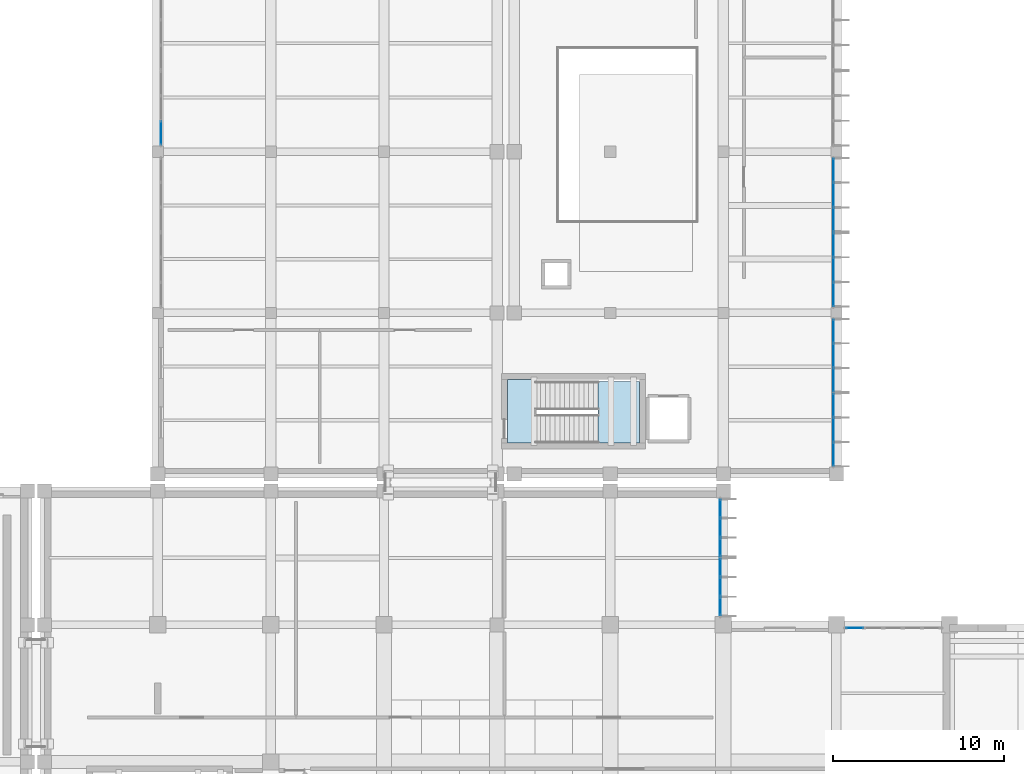
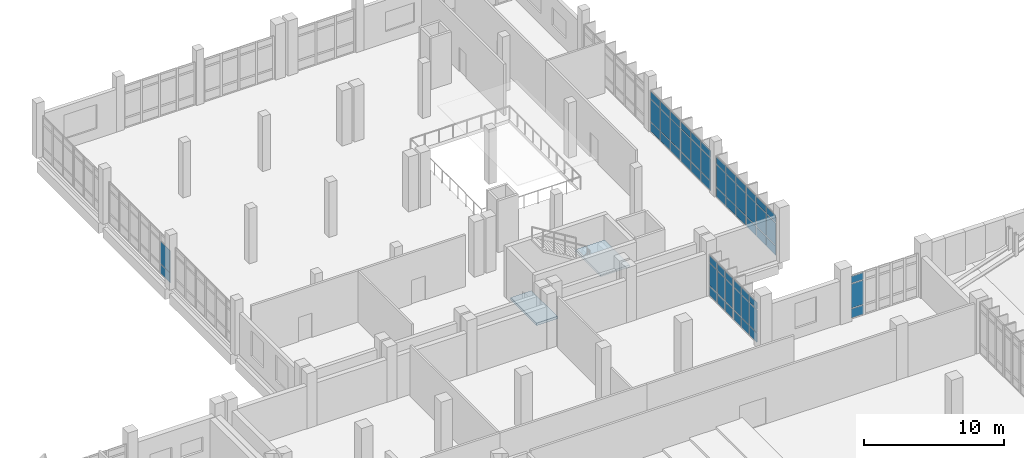
# One storey, part 58 of 90: 59 plates, 2 slabs, 9 elements without a shape of their own.
"""IFC4 building model written with IfcOpenShell, lengths in metres."""

from ifc_helpers import new_model, si_unit, direction, frame, origin, origin_2d, place, context, subcontext, project, spatial, polyline, rectangle, outline, extrude, material, layer, layer_set, type_object, element, aggregate, save


model = new_model("IFC4")

# Units and contexts
model_context = context("Model", 3, precision=1e-05, world=origin(), true_north=direction((0.0, 1.0)))
body_context = subcontext(model_context, "Body", "Model", "MODEL_VIEW")
ifc_project = project(units=[si_unit("LENGTHUNIT", "METRE"), si_unit("AREAUNIT", "SQUARE_METRE"), si_unit("VOLUMEUNIT", "CUBIC_METRE"), si_unit("PLANEANGLEUNIT", "RADIAN"), si_unit("MASSUNIT", "GRAM", prefix="KILO")], contexts=[model_context])

# Site, building, storey
site_placement = place(None, origin())
site = spatial("IfcSite", under=ifc_project, at=site_placement, CompositionType="ELEMENT")
building_placement = place(site_placement, origin())
building = spatial("IfcBuilding", under=site, at=building_placement, Name="Kelarvand Opera House", CompositionType="ELEMENT")
storey_placement = place(building_placement, frame((0.0, 0.0, 5.39990234375)))
storey = spatial("IfcBuildingStorey", under=building, at=storey_placement, Name="L01", CompositionType="ELEMENT", Elevation=5.39990234375)

# Curtain wall, plates
ifc_material_1 = material(Name="Thermally broken aluminium and low-E glazing", Category="aluminium")
ifc_layer_1 = layer(ifc_material_1, 0.219970703125, Name="Thermally broken aluminium and low-E glazing", Category="aluminium")
ifc_layer_set_1 = layer_set([ifc_layer_1], Name="Thermally broken aluminium and low-E glazing")
curtain_wall_type_1 = type_object("IfcCurtainWallType", Name="Unitised Low-E Curtain Wall 3444x3630 Mod 1150 CWF-02", PredefinedType="USERDEFINED", material=ifc_layer_set_1)
curtain_wall_1_placement = place(storey_placement, origin())
curtain_wall_1 = element("IfcCurtainWall", 1, at=curtain_wall_1_placement, inside=storey, type_object=curtain_wall_type_1, Name="V1 L01 Curtain Wall CWF-02 (5)", ObjectType="UNITISED CURTAIN WALL", PredefinedType="USERDEFINED")
ifc_material_2 = material(Name="Acoustic triple-laminated low-E glazing", Category="glass")
ifc_layer_2 = layer(ifc_material_2, 0.0400390625, Name="Acoustic triple-laminated low-E glazing", Category="glass")
ifc_layer_set_2 = layer_set([ifc_layer_2], Name="Acoustic triple-laminated low-E glazing")
plate_type_1 = type_object("IfcPlateType", Name="Acoustic Laminated Plaza Curtain Panel 40mm", PredefinedType="CURTAIN_PANEL", material=ifc_layer_set_2)
plate_1_placement = place(storey_placement, frame((128.419921875, 85.187255859375, 0.074951171875), z_axis=(0.0, 0.0, 1.0), x_axis=(0.0, -1.0, 0.0)))
plate_1 = element("IfcPlate", 2, at=plate_1_placement, type_object=plate_type_1, Name="CWF-02 panel 1.1", PredefinedType="CURTAIN_PANEL", context=body_context, shape_type="SweptSolid", body=[
    extrude(rectangle(XDim=1.035400390625, YDim=0.0400390625, at=origin_2d()), origin(), (0.0, 0.0, 1.0), 0.78759765625),
])
plate_2_placement = place(storey_placement, frame((128.419921875, 85.187255859375, 0.9375), z_axis=(0.0, 0.0, 1.0), x_axis=(0.0, -1.0, 0.0)))
plate_2 = element("IfcPlate", 3, at=plate_2_placement, type_object=plate_type_1, Name="CWF-02 panel 1.2", PredefinedType="CURTAIN_PANEL", context=body_context, shape_type="SweptSolid", body=[
    extrude(rectangle(XDim=1.035400390625, YDim=0.0400390625, at=origin_2d()), origin(), (0.0, 0.0, 1.0), 1.955078125),
])
plate_3_placement = place(storey_placement, frame((128.419921875, 85.187255859375, 2.967529296875), z_axis=(0.0, 0.0, 1.0), x_axis=(0.0, -1.0, 0.0)))
plate_3 = element("IfcPlate", 4, at=plate_3_placement, type_object=plate_type_1, Name="CWF-02 panel 1.3", PredefinedType="CURTAIN_PANEL", context=body_context, shape_type="SweptSolid", body=[
    extrude(rectangle(XDim=1.035400390625, YDim=0.0400390625, at=origin_2d()), origin(), (0.0, 0.0, 1.0), 0.58740234375),
])
plate_4_placement = place(storey_placement, frame((128.419921875, 84.058349609375, 0.074951171875), z_axis=(0.0, 0.0, 1.0), x_axis=(0.0, -1.0, 0.0)))
plate_4 = element("IfcPlate", 5, at=plate_4_placement, type_object=plate_type_1, Name="CWF-02 panel 2.1", PredefinedType="CURTAIN_PANEL", context=body_context, shape_type="SweptSolid", body=[
    extrude(rectangle(XDim=1.07275390625, YDim=0.0400390625, at=origin_2d()), origin(), (0.0, 0.0, 1.0), 0.78759765625),
])
plate_5_placement = place(storey_placement, frame((128.419921875, 84.058349609375, 0.9375), z_axis=(0.0, 0.0, 1.0), x_axis=(0.0, -1.0, 0.0)))
plate_5 = element("IfcPlate", 6, at=plate_5_placement, type_object=plate_type_1, Name="CWF-02 panel 2.2", PredefinedType="CURTAIN_PANEL", context=body_context, shape_type="SweptSolid", body=[
    extrude(rectangle(XDim=1.07275390625, YDim=0.0400390625, at=origin_2d()), origin(), (0.0, 0.0, 1.0), 1.955078125),
])
plate_6_placement = place(storey_placement, frame((128.419921875, 84.058349609375, 2.967529296875), z_axis=(0.0, 0.0, 1.0), x_axis=(0.0, -1.0, 0.0)))
plate_6 = element("IfcPlate", 7, at=plate_6_placement, type_object=plate_type_1, Name="CWF-02 panel 2.3", PredefinedType="CURTAIN_PANEL", context=body_context, shape_type="SweptSolid", body=[
    extrude(rectangle(XDim=1.07275390625, YDim=0.0400390625, at=origin_2d()), origin(), (0.0, 0.0, 1.0), 0.58740234375),
])
plate_7_placement = place(storey_placement, frame((128.419921875, 82.92919921875, 0.074951171875), z_axis=(0.0, 0.0, 1.0), x_axis=(0.0, -1.0, 0.0)))
plate_7 = element("IfcPlate", 8, at=plate_7_placement, type_object=plate_type_1, Name="CWF-02 panel 3.1", PredefinedType="CURTAIN_PANEL", context=body_context, shape_type="SweptSolid", body=[
    extrude(rectangle(XDim=1.035400390625, YDim=0.0400390625, at=origin_2d()), origin(), (0.0, 0.0, 1.0), 0.78759765625),
])
plate_8_placement = place(storey_placement, frame((128.419921875, 82.92919921875, 0.9375), z_axis=(0.0, 0.0, 1.0), x_axis=(0.0, -1.0, 0.0)))
plate_8 = element("IfcPlate", 9, at=plate_8_placement, type_object=plate_type_1, Name="CWF-02 panel 3.2", PredefinedType="CURTAIN_PANEL", context=body_context, shape_type="SweptSolid", body=[
    extrude(rectangle(XDim=1.035400390625, YDim=0.0400390625, at=origin_2d()), origin(), (0.0, 0.0, 1.0), 1.955078125),
])
plate_9_placement = place(storey_placement, frame((128.419921875, 82.92919921875, 2.967529296875), z_axis=(0.0, 0.0, 1.0), x_axis=(0.0, -1.0, 0.0)))
plate_9 = element("IfcPlate", 10, at=plate_9_placement, type_object=plate_type_1, Name="CWF-02 panel 3.3", PredefinedType="CURTAIN_PANEL", context=body_context, shape_type="SweptSolid", body=[
    extrude(rectangle(XDim=1.035400390625, YDim=0.0400390625, at=origin_2d()), origin(), (0.0, 0.0, 1.0), 0.58740234375),
])
aggregate(curtain_wall_1, [plate_1, plate_2, plate_3, plate_4, plate_5, plate_6, plate_7, plate_8, plate_9])

curtain_wall_2_placement = place(storey_placement, origin())
curtain_wall_2 = element("IfcCurtainWall", 11, at=curtain_wall_2_placement, inside=storey, type_object=curtain_wall_type_1, Name="V1 L01 Curtain Wall CWF-02 (6)", ObjectType="UNITISED CURTAIN WALL", PredefinedType="USERDEFINED")
plate_10_placement = place(storey_placement, frame((128.419921875, 81.7392578125, 0.074951171875), z_axis=(0.0, 0.0, 1.0), x_axis=(0.0, -1.0, 0.0)))
plate_10 = element("IfcPlate", 12, at=plate_10_placement, type_object=plate_type_1, Name="CWF-02 panel 1.1", PredefinedType="CURTAIN_PANEL", context=body_context, shape_type="SweptSolid", body=[
    extrude(rectangle(XDim=1.03662109375, YDim=0.0400390625, at=origin_2d()), origin(), (0.0, 0.0, 1.0), 0.78759765625),
])
plate_11_placement = place(storey_placement, frame((128.419921875, 81.7392578125, 0.9375), z_axis=(0.0, 0.0, 1.0), x_axis=(0.0, -1.0, 0.0)))
plate_11 = element("IfcPlate", 13, at=plate_11_placement, type_object=plate_type_1, Name="CWF-02 panel 1.2", PredefinedType="CURTAIN_PANEL", context=body_context, shape_type="SweptSolid", body=[
    extrude(rectangle(XDim=1.03662109375, YDim=0.0400390625, at=origin_2d()), origin(), (0.0, 0.0, 1.0), 1.955078125),
])
plate_12_placement = place(storey_placement, frame((128.419921875, 81.7392578125, 2.967529296875), z_axis=(0.0, 0.0, 1.0), x_axis=(0.0, -1.0, 0.0)))
plate_12 = element("IfcPlate", 14, at=plate_12_placement, type_object=plate_type_1, Name="CWF-02 panel 1.3", PredefinedType="CURTAIN_PANEL", context=body_context, shape_type="SweptSolid", body=[
    extrude(rectangle(XDim=1.03662109375, YDim=0.0400390625, at=origin_2d()), origin(), (0.0, 0.0, 1.0), 0.58740234375),
])
plate_13_placement = place(storey_placement, frame((128.419921875, 80.608642578125, 0.074951171875), z_axis=(0.0, 0.0, 1.0), x_axis=(0.0, -1.0, 0.0)))
plate_13 = element("IfcPlate", 15, at=plate_13_placement, type_object=plate_type_1, Name="CWF-02 panel 2.1", PredefinedType="CURTAIN_PANEL", context=body_context, shape_type="SweptSolid", body=[
    extrude(rectangle(XDim=1.07421875, YDim=0.0400390625, at=origin_2d()), origin(), (0.0, 0.0, 1.0), 0.78759765625),
])
plate_14_placement = place(storey_placement, frame((128.419921875, 80.608642578125, 0.9375), z_axis=(0.0, 0.0, 1.0), x_axis=(0.0, -1.0, 0.0)))
plate_14 = element("IfcPlate", 16, at=plate_14_placement, type_object=plate_type_1, Name="CWF-02 panel 2.2", PredefinedType="CURTAIN_PANEL", context=body_context, shape_type="SweptSolid", body=[
    extrude(rectangle(XDim=1.07421875, YDim=0.0400390625, at=origin_2d()), origin(), (0.0, 0.0, 1.0), 1.955078125),
])
plate_15_placement = place(storey_placement, frame((128.419921875, 80.608642578125, 2.967529296875), z_axis=(0.0, 0.0, 1.0), x_axis=(0.0, -1.0, 0.0)))
plate_15 = element("IfcPlate", 17, at=plate_15_placement, type_object=plate_type_1, Name="CWF-02 panel 2.3", PredefinedType="CURTAIN_PANEL", context=body_context, shape_type="SweptSolid", body=[
    extrude(rectangle(XDim=1.07421875, YDim=0.0400390625, at=origin_2d()), origin(), (0.0, 0.0, 1.0), 0.58740234375),
])
plate_16_placement = place(storey_placement, frame((128.419921875, 79.478271484375, 0.074951171875), z_axis=(0.0, 0.0, 1.0), x_axis=(0.0, -1.0, 0.0)))
plate_16 = element("IfcPlate", 18, at=plate_16_placement, type_object=plate_type_1, Name="CWF-02 panel 3.1", PredefinedType="CURTAIN_PANEL", context=body_context, shape_type="SweptSolid", body=[
    extrude(rectangle(XDim=1.03662109375, YDim=0.0400390625, at=origin_2d()), origin(), (0.0, 0.0, 1.0), 0.78759765625),
])
plate_17_placement = place(storey_placement, frame((128.419921875, 79.478271484375, 0.9375), z_axis=(0.0, 0.0, 1.0), x_axis=(0.0, -1.0, 0.0)))
plate_17 = element("IfcPlate", 19, at=plate_17_placement, type_object=plate_type_1, Name="CWF-02 panel 3.2", PredefinedType="CURTAIN_PANEL", context=body_context, shape_type="SweptSolid", body=[
    extrude(rectangle(XDim=1.03662109375, YDim=0.0400390625, at=origin_2d()), origin(), (0.0, 0.0, 1.0), 1.955078125),
])
plate_18_placement = place(storey_placement, frame((128.419921875, 79.478271484375, 2.967529296875), z_axis=(0.0, 0.0, 1.0), x_axis=(0.0, -1.0, 0.0)))
plate_18 = element("IfcPlate", 20, at=plate_18_placement, type_object=plate_type_1, Name="CWF-02 panel 3.3", PredefinedType="CURTAIN_PANEL", context=body_context, shape_type="SweptSolid", body=[
    extrude(rectangle(XDim=1.03662109375, YDim=0.0400390625, at=origin_2d()), origin(), (0.0, 0.0, 1.0), 0.58740234375),
])
aggregate(curtain_wall_2, [plate_10, plate_11, plate_12, plate_13, plate_14, plate_15, plate_16, plate_17, plate_18])

ifc_layer_3 = layer(ifc_material_1, 0.219970703125, Name="Thermally broken aluminium and low-E glazing", Category="aluminium")
ifc_layer_set_3 = layer_set([ifc_layer_3], Name="Thermally broken aluminium and low-E glazing")
curtain_wall_type_2 = type_object("IfcCurtainWallType", Name="Unitised Low-E Curtain Wall 5630x3780 Mod 1150 CWF-03", PredefinedType="USERDEFINED", material=ifc_layer_set_3)
curtain_wall_3_placement = place(storey_placement, origin())
curtain_wall_3 = element("IfcCurtainWall", 21, at=curtain_wall_3_placement, inside=storey, type_object=curtain_wall_type_2, Name="V1 L01 Curtain Wall CWF-03 (7)", ObjectType="UNITISED CURTAIN WALL", PredefinedType="USERDEFINED")
plate_19_placement = place(storey_placement, frame((136.266845703125, 78.219970703125, 0.074951171875), z_axis=(0.0, 0.0, 1.0), x_axis=(1.0, 0.0, 0.0)))
plate_19 = element("IfcPlate", 22, at=plate_19_placement, type_object=plate_type_1, Name="CWF-03 panel 1.1", PredefinedType="CURTAIN_PANEL", context=body_context, shape_type="SweptSolid", body=[
    extrude(rectangle(XDim=1.013427734375, YDim=0.0400390625, at=origin_2d()), origin(), (0.0, 0.0, 1.0), 0.78759765625),
])
plate_20_placement = place(storey_placement, frame((136.266845703125, 78.219970703125, 0.9375), z_axis=(0.0, 0.0, 1.0), x_axis=(1.0, 0.0, 0.0)))
plate_20 = element("IfcPlate", 23, at=plate_20_placement, type_object=plate_type_1, Name="CWF-03 panel 1.2", PredefinedType="CURTAIN_PANEL", context=body_context, shape_type="SweptSolid", body=[
    extrude(rectangle(XDim=1.013427734375, YDim=0.0400390625, at=origin_2d()), origin(), (0.0, 0.0, 1.0), 2.10498046875),
])
plate_21_placement = place(storey_placement, frame((136.266845703125, 78.219970703125, 3.11767578125), z_axis=(0.0, 0.0, 1.0), x_axis=(1.0, 0.0, 0.0)))
plate_21 = element("IfcPlate", 24, at=plate_21_placement, type_object=plate_type_1, Name="CWF-03 panel 1.3", PredefinedType="CURTAIN_PANEL", context=body_context, shape_type="SweptSolid", body=[
    extrude(rectangle(XDim=1.013427734375, YDim=0.0400390625, at=origin_2d()), origin(), (0.0, 0.0, 1.0), 0.58740234375),
])
aggregate(curtain_wall_3, [plate_19, plate_20, plate_21])

# Slab
ifc_material_3 = material(Name="Concrete C35/45", Category="concrete")
ifc_layer_4 = layer(ifc_material_3, 0.219970703125, Name="Concrete C35/45", Category="concrete")
ifc_layer_set_4 = layer_set([ifc_layer_4], Name="Concrete C35/45")
slab_type_1 = type_object("IfcSlabType", Name="Core Stair Entry Landing Slab 220", PredefinedType="LANDING", material=ifc_layer_set_4)
slab_1_placement = place(storey_placement, frame((0.0, 0.0, -0.219970703125)))
element("IfcSlab", 25, at=slab_1_placement, inside=storey, type_object=slab_type_1, Name="C7 Stair Entry Landing L01", PredefinedType="LANDING", context=body_context, shape_type="SweptSolid", body=[
    extrude(outline(polyline([(116.0, 89.0), (117.719970703125, 89.0), (117.719970703125, 92.699951171875), (116.0, 92.699951171875), (116.0, 89.0)])), origin(), (0.0, 0.0, 1.0), 0.219970703125),
])

# Curtain wall, plates
ifc_layer_5 = layer(ifc_material_1, 0.179931640625, Name="Thermally broken aluminium and low-E glazing", Category="aluminium")
ifc_layer_set_5 = layer_set([ifc_layer_5], Name="Thermally broken aluminium and low-E glazing")
curtain_wall_type_3 = type_object("IfcCurtainWallType", Name="Unitised Low-E Curtain Wall 4361x3600 Mod 1450 CWF-42", PredefinedType="USERDEFINED", material=ifc_layer_set_5)
curtain_wall_4_placement = place(storey_placement, origin())
curtain_wall_4 = element("IfcCurtainWall", 26, at=curtain_wall_4_placement, inside=storey, type_object=curtain_wall_type_3, Name="V5 L01 Curtain Wall CWF-42 (176)", ObjectType="UNITISED CURTAIN WALL", PredefinedType="USERDEFINED")
ifc_material_4 = material(Name="Low-E laminated double glazing", Category="glass")
ifc_layer_6 = layer(ifc_material_4, 0.031982421875, Name="Low-E laminated double glazing", Category="glass")
ifc_layer_set_6 = layer_set([ifc_layer_6], Name="Low-E laminated double glazing")
plate_type_2 = type_object("IfcPlateType", Name="Low-E Argon Double Glazed Curtain Panel 32mm", PredefinedType="CURTAIN_PANEL", material=ifc_layer_set_6)
plate_22_placement = place(storey_placement, frame((135.02001953125, 104.921875, 0.06494140625), z_axis=(0.0, 0.0, 1.0), x_axis=(0.0, -1.0, 0.0)))
plate_22 = element("IfcPlate", 27, at=plate_22_placement, type_object=plate_type_2, Name="CWF-42 panel 1.1", PredefinedType="CURTAIN_PANEL", context=body_context, shape_type="SweptSolid", body=[
    extrude(rectangle(XDim=1.356201171875, YDim=0.031982421875, at=origin_2d()), origin(), (0.0, 0.0, 1.0), 0.802490234375),
])
plate_23_placement = place(storey_placement, frame((135.02001953125, 104.921875, 0.9326171875), z_axis=(0.0, 0.0, 1.0), x_axis=(0.0, -1.0, 0.0)))
plate_23 = element("IfcPlate", 28, at=plate_23_placement, type_object=plate_type_2, Name="CWF-42 panel 1.2", PredefinedType="CURTAIN_PANEL", context=body_context, shape_type="SweptSolid", body=[
    extrude(rectangle(XDim=1.356201171875, YDim=0.031982421875, at=origin_2d()), origin(), (0.0, 0.0, 1.0), 1.93505859375),
])
plate_24_placement = place(storey_placement, frame((135.02001953125, 104.921875, 2.9326171875), z_axis=(0.0, 0.0, 1.0), x_axis=(0.0, -1.0, 0.0)))
plate_24 = element("IfcPlate", 29, at=plate_24_placement, type_object=plate_type_2, Name="CWF-42 panel 1.3", PredefinedType="CURTAIN_PANEL", context=body_context, shape_type="SweptSolid", body=[
    extrude(rectangle(XDim=1.356201171875, YDim=0.031982421875, at=origin_2d()), origin(), (0.0, 0.0, 1.0), 0.6025390625),
])
plate_25_placement = place(storey_placement, frame((135.02001953125, 103.484619140625, 0.06494140625), z_axis=(0.0, 0.0, 1.0), x_axis=(0.0, -1.0, 0.0)))
plate_25 = element("IfcPlate", 30, at=plate_25_placement, type_object=plate_type_2, Name="CWF-42 panel 2.1", PredefinedType="CURTAIN_PANEL", context=body_context, shape_type="SweptSolid", body=[
    extrude(rectangle(XDim=1.388671875, YDim=0.031982421875, at=origin_2d()), origin(), (0.0, 0.0, 1.0), 0.802490234375),
])
plate_26_placement = place(storey_placement, frame((135.02001953125, 103.484619140625, 0.9326171875), z_axis=(0.0, 0.0, 1.0), x_axis=(0.0, -1.0, 0.0)))
plate_26 = element("IfcPlate", 31, at=plate_26_placement, type_object=plate_type_2, Name="CWF-42 panel 2.2", PredefinedType="CURTAIN_PANEL", context=body_context, shape_type="SweptSolid", body=[
    extrude(rectangle(XDim=1.388671875, YDim=0.031982421875, at=origin_2d()), origin(), (0.0, 0.0, 1.0), 1.93505859375),
])
plate_27_placement = place(storey_placement, frame((135.02001953125, 103.484619140625, 2.9326171875), z_axis=(0.0, 0.0, 1.0), x_axis=(0.0, -1.0, 0.0)))
plate_27 = element("IfcPlate", 32, at=plate_27_placement, type_object=plate_type_2, Name="CWF-42 panel 2.3", PredefinedType="CURTAIN_PANEL", context=body_context, shape_type="SweptSolid", body=[
    extrude(rectangle(XDim=1.388671875, YDim=0.031982421875, at=origin_2d()), origin(), (0.0, 0.0, 1.0), 0.6025390625),
])
plate_28_placement = place(storey_placement, frame((135.02001953125, 102.047119140625, 0.06494140625), z_axis=(0.0, 0.0, 1.0), x_axis=(0.0, -1.0, 0.0)))
plate_28 = element("IfcPlate", 33, at=plate_28_placement, type_object=plate_type_2, Name="CWF-42 panel 3.1", PredefinedType="CURTAIN_PANEL", context=body_context, shape_type="SweptSolid", body=[
    extrude(rectangle(XDim=1.356201171875, YDim=0.031982421875, at=origin_2d()), origin(), (0.0, 0.0, 1.0), 0.802490234375),
])
plate_29_placement = place(storey_placement, frame((135.02001953125, 102.047119140625, 0.9326171875), z_axis=(0.0, 0.0, 1.0), x_axis=(0.0, -1.0, 0.0)))
plate_29 = element("IfcPlate", 34, at=plate_29_placement, type_object=plate_type_2, Name="CWF-42 panel 3.2", PredefinedType="CURTAIN_PANEL", context=body_context, shape_type="SweptSolid", body=[
    extrude(rectangle(XDim=1.356201171875, YDim=0.031982421875, at=origin_2d()), origin(), (0.0, 0.0, 1.0), 1.93505859375),
])
plate_30_placement = place(storey_placement, frame((135.02001953125, 102.047119140625, 2.9326171875), z_axis=(0.0, 0.0, 1.0), x_axis=(0.0, -1.0, 0.0)))
plate_30 = element("IfcPlate", 35, at=plate_30_placement, type_object=plate_type_2, Name="CWF-42 panel 3.3", PredefinedType="CURTAIN_PANEL", context=body_context, shape_type="SweptSolid", body=[
    extrude(rectangle(XDim=1.356201171875, YDim=0.031982421875, at=origin_2d()), origin(), (0.0, 0.0, 1.0), 0.6025390625),
])
aggregate(curtain_wall_4, [plate_22, plate_23, plate_24, plate_25, plate_26, plate_27, plate_28, plate_29, plate_30])

curtain_wall_5_placement = place(storey_placement, origin())
curtain_wall_5 = element("IfcCurtainWall", 36, at=curtain_wall_5_placement, inside=storey, type_object=curtain_wall_type_3, Name="V5 L01 Curtain Wall CWF-42 (177)", ObjectType="UNITISED CURTAIN WALL", PredefinedType="USERDEFINED")
plate_31_placement = place(storey_placement, frame((135.02001953125, 100.55615234375, 0.06494140625), z_axis=(0.0, 0.0, 1.0), x_axis=(0.0, -1.0, 0.0)))
plate_31 = element("IfcPlate", 37, at=plate_31_placement, type_object=plate_type_2, Name="CWF-42 panel 1.1", PredefinedType="CURTAIN_PANEL", context=body_context, shape_type="SweptSolid", body=[
    extrude(rectangle(XDim=1.357421875, YDim=0.031982421875, at=origin_2d()), origin(), (0.0, 0.0, 1.0), 0.802490234375),
])
plate_32_placement = place(storey_placement, frame((135.02001953125, 100.55615234375, 0.9326171875), z_axis=(0.0, 0.0, 1.0), x_axis=(0.0, -1.0, 0.0)))
plate_32 = element("IfcPlate", 38, at=plate_32_placement, type_object=plate_type_2, Name="CWF-42 panel 1.2", PredefinedType="CURTAIN_PANEL", context=body_context, shape_type="SweptSolid", body=[
    extrude(rectangle(XDim=1.357421875, YDim=0.031982421875, at=origin_2d()), origin(), (0.0, 0.0, 1.0), 1.93505859375),
])
plate_33_placement = place(storey_placement, frame((135.02001953125, 100.55615234375, 2.9326171875), z_axis=(0.0, 0.0, 1.0), x_axis=(0.0, -1.0, 0.0)))
plate_33 = element("IfcPlate", 39, at=plate_33_placement, type_object=plate_type_2, Name="CWF-42 panel 1.3", PredefinedType="CURTAIN_PANEL", context=body_context, shape_type="SweptSolid", body=[
    extrude(rectangle(XDim=1.357421875, YDim=0.031982421875, at=origin_2d()), origin(), (0.0, 0.0, 1.0), 0.6025390625),
])
plate_34_placement = place(storey_placement, frame((135.02001953125, 99.117431640625, 0.06494140625), z_axis=(0.0, 0.0, 1.0), x_axis=(0.0, -1.0, 0.0)))
plate_34 = element("IfcPlate", 40, at=plate_34_placement, type_object=plate_type_2, Name="CWF-42 panel 2.1", PredefinedType="CURTAIN_PANEL", context=body_context, shape_type="SweptSolid", body=[
    extrude(rectangle(XDim=1.389892578125, YDim=0.031982421875, at=origin_2d()), origin(), (0.0, 0.0, 1.0), 0.802490234375),
])
plate_35_placement = place(storey_placement, frame((135.02001953125, 99.117431640625, 0.9326171875), z_axis=(0.0, 0.0, 1.0), x_axis=(0.0, -1.0, 0.0)))
plate_35 = element("IfcPlate", 41, at=plate_35_placement, type_object=plate_type_2, Name="CWF-42 panel 2.2", PredefinedType="CURTAIN_PANEL", context=body_context, shape_type="SweptSolid", body=[
    extrude(rectangle(XDim=1.389892578125, YDim=0.031982421875, at=origin_2d()), origin(), (0.0, 0.0, 1.0), 1.93505859375),
])
plate_36_placement = place(storey_placement, frame((135.02001953125, 99.117431640625, 2.9326171875), z_axis=(0.0, 0.0, 1.0), x_axis=(0.0, -1.0, 0.0)))
plate_36 = element("IfcPlate", 42, at=plate_36_placement, type_object=plate_type_2, Name="CWF-42 panel 2.3", PredefinedType="CURTAIN_PANEL", context=body_context, shape_type="SweptSolid", body=[
    extrude(rectangle(XDim=1.389892578125, YDim=0.031982421875, at=origin_2d()), origin(), (0.0, 0.0, 1.0), 0.6025390625),
])
plate_37_placement = place(storey_placement, frame((135.02001953125, 97.6787109375, 0.06494140625), z_axis=(0.0, 0.0, 1.0), x_axis=(0.0, -1.0, 0.0)))
plate_37 = element("IfcPlate", 43, at=plate_37_placement, type_object=plate_type_2, Name="CWF-42 panel 3.1", PredefinedType="CURTAIN_PANEL", context=body_context, shape_type="SweptSolid", body=[
    extrude(rectangle(XDim=1.357421875, YDim=0.031982421875, at=origin_2d()), origin(), (0.0, 0.0, 1.0), 0.802490234375),
])
plate_38_placement = place(storey_placement, frame((135.02001953125, 97.6787109375, 0.9326171875), z_axis=(0.0, 0.0, 1.0), x_axis=(0.0, -1.0, 0.0)))
plate_38 = element("IfcPlate", 44, at=plate_38_placement, type_object=plate_type_2, Name="CWF-42 panel 3.2", PredefinedType="CURTAIN_PANEL", context=body_context, shape_type="SweptSolid", body=[
    extrude(rectangle(XDim=1.357421875, YDim=0.031982421875, at=origin_2d()), origin(), (0.0, 0.0, 1.0), 1.93505859375),
])
plate_39_placement = place(storey_placement, frame((135.02001953125, 97.6787109375, 2.9326171875), z_axis=(0.0, 0.0, 1.0), x_axis=(0.0, -1.0, 0.0)))
plate_39 = element("IfcPlate", 45, at=plate_39_placement, type_object=plate_type_2, Name="CWF-42 panel 3.3", PredefinedType="CURTAIN_PANEL", context=body_context, shape_type="SweptSolid", body=[
    extrude(rectangle(XDim=1.357421875, YDim=0.031982421875, at=origin_2d()), origin(), (0.0, 0.0, 1.0), 0.6025390625),
])
aggregate(curtain_wall_5, [plate_31, plate_32, plate_33, plate_34, plate_35, plate_36, plate_37, plate_38, plate_39])

ifc_layer_7 = layer(ifc_material_1, 0.179931640625, Name="Thermally broken aluminium and low-E glazing", Category="aluminium")
ifc_layer_set_7 = layer_set([ifc_layer_7], Name="Thermally broken aluminium and low-E glazing")
curtain_wall_type_4 = type_object("IfcCurtainWallType", Name="Unitised Low-E Curtain Wall 4318x3600 Mod 1450 CWF-43", PredefinedType="USERDEFINED", material=ifc_layer_set_7)
curtain_wall_6_placement = place(storey_placement, origin())
curtain_wall_6 = element("IfcCurtainWall", 46, at=curtain_wall_6_placement, inside=storey, type_object=curtain_wall_type_4, Name="V5 L01 Curtain Wall CWF-43 (178)", ObjectType="UNITISED CURTAIN WALL", PredefinedType="USERDEFINED")
plate_40_placement = place(storey_placement, frame((135.02001953125, 95.529052734375, 0.06494140625), z_axis=(0.0, 0.0, 1.0), x_axis=(0.0, -1.0, 0.0)))
plate_40 = element("IfcPlate", 47, at=plate_40_placement, type_object=plate_type_2, Name="CWF-43 panel 1.1", PredefinedType="CURTAIN_PANEL", context=body_context, shape_type="SweptSolid", body=[
    extrude(rectangle(XDim=1.342041015625, YDim=0.031982421875, at=origin_2d()), origin(), (0.0, 0.0, 1.0), 0.802490234375),
])
plate_41_placement = place(storey_placement, frame((135.02001953125, 95.529052734375, 0.9326171875), z_axis=(0.0, 0.0, 1.0), x_axis=(0.0, -1.0, 0.0)))
plate_41 = element("IfcPlate", 48, at=plate_41_placement, type_object=plate_type_2, Name="CWF-43 panel 1.2", PredefinedType="CURTAIN_PANEL", context=body_context, shape_type="SweptSolid", body=[
    extrude(rectangle(XDim=1.342041015625, YDim=0.031982421875, at=origin_2d()), origin(), (0.0, 0.0, 1.0), 1.93505859375),
])
plate_42_placement = place(storey_placement, frame((135.02001953125, 95.529052734375, 2.9326171875), z_axis=(0.0, 0.0, 1.0), x_axis=(0.0, -1.0, 0.0)))
plate_42 = element("IfcPlate", 49, at=plate_42_placement, type_object=plate_type_2, Name="CWF-43 panel 1.3", PredefinedType="CURTAIN_PANEL", context=body_context, shape_type="SweptSolid", body=[
    extrude(rectangle(XDim=1.342041015625, YDim=0.031982421875, at=origin_2d()), origin(), (0.0, 0.0, 1.0), 0.6025390625),
])
plate_43_placement = place(storey_placement, frame((135.02001953125, 94.105712890625, 0.06494140625), z_axis=(0.0, 0.0, 1.0), x_axis=(0.0, -1.0, 0.0)))
plate_43 = element("IfcPlate", 50, at=plate_43_placement, type_object=plate_type_2, Name="CWF-43 panel 2.1", PredefinedType="CURTAIN_PANEL", context=body_context, shape_type="SweptSolid", body=[
    extrude(rectangle(XDim=1.37451171875, YDim=0.031982421875, at=origin_2d()), origin(), (0.0, 0.0, 1.0), 0.802490234375),
])
plate_44_placement = place(storey_placement, frame((135.02001953125, 94.105712890625, 0.9326171875), z_axis=(0.0, 0.0, 1.0), x_axis=(0.0, -1.0, 0.0)))
plate_44 = element("IfcPlate", 51, at=plate_44_placement, type_object=plate_type_2, Name="CWF-43 panel 2.2", PredefinedType="CURTAIN_PANEL", context=body_context, shape_type="SweptSolid", body=[
    extrude(rectangle(XDim=1.37451171875, YDim=0.031982421875, at=origin_2d()), origin(), (0.0, 0.0, 1.0), 1.93505859375),
])
plate_45_placement = place(storey_placement, frame((135.02001953125, 94.105712890625, 2.9326171875), z_axis=(0.0, 0.0, 1.0), x_axis=(0.0, -1.0, 0.0)))
plate_45 = element("IfcPlate", 52, at=plate_45_placement, type_object=plate_type_2, Name="CWF-43 panel 2.3", PredefinedType="CURTAIN_PANEL", context=body_context, shape_type="SweptSolid", body=[
    extrude(rectangle(XDim=1.37451171875, YDim=0.031982421875, at=origin_2d()), origin(), (0.0, 0.0, 1.0), 0.6025390625),
])
plate_46_placement = place(storey_placement, frame((135.02001953125, 92.6826171875, 0.06494140625), z_axis=(0.0, 0.0, 1.0), x_axis=(0.0, -1.0, 0.0)))
plate_46 = element("IfcPlate", 53, at=plate_46_placement, type_object=plate_type_2, Name="CWF-43 panel 3.1", PredefinedType="CURTAIN_PANEL", context=body_context, shape_type="SweptSolid", body=[
    extrude(rectangle(XDim=1.342041015625, YDim=0.031982421875, at=origin_2d()), origin(), (0.0, 0.0, 1.0), 0.802490234375),
])
plate_47_placement = place(storey_placement, frame((135.02001953125, 92.6826171875, 0.9326171875), z_axis=(0.0, 0.0, 1.0), x_axis=(0.0, -1.0, 0.0)))
plate_47 = element("IfcPlate", 54, at=plate_47_placement, type_object=plate_type_2, Name="CWF-43 panel 3.2", PredefinedType="CURTAIN_PANEL", context=body_context, shape_type="SweptSolid", body=[
    extrude(rectangle(XDim=1.342041015625, YDim=0.031982421875, at=origin_2d()), origin(), (0.0, 0.0, 1.0), 1.93505859375),
])
plate_48_placement = place(storey_placement, frame((135.02001953125, 92.6826171875, 2.9326171875), z_axis=(0.0, 0.0, 1.0), x_axis=(0.0, -1.0, 0.0)))
plate_48 = element("IfcPlate", 55, at=plate_48_placement, type_object=plate_type_2, Name="CWF-43 panel 3.3", PredefinedType="CURTAIN_PANEL", context=body_context, shape_type="SweptSolid", body=[
    extrude(rectangle(XDim=1.342041015625, YDim=0.031982421875, at=origin_2d()), origin(), (0.0, 0.0, 1.0), 0.6025390625),
])
aggregate(curtain_wall_6, [plate_40, plate_41, plate_42, plate_43, plate_44, plate_45, plate_46, plate_47, plate_48])

curtain_wall_7_placement = place(storey_placement, origin())
curtain_wall_7 = element("IfcCurtainWall", 56, at=curtain_wall_7_placement, inside=storey, type_object=curtain_wall_type_4, Name="V5 L01 Curtain Wall CWF-43 (179)", ObjectType="UNITISED CURTAIN WALL", PredefinedType="USERDEFINED")
plate_49_placement = place(storey_placement, frame((135.02001953125, 91.205810546875, 0.06494140625), z_axis=(0.0, 0.0, 1.0), x_axis=(0.0, -1.0, 0.0)))
plate_49 = element("IfcPlate", 57, at=plate_49_placement, type_object=plate_type_2, Name="CWF-43 panel 1.1", PredefinedType="CURTAIN_PANEL", context=body_context, shape_type="SweptSolid", body=[
    extrude(rectangle(XDim=1.34326171875, YDim=0.031982421875, at=origin_2d()), origin(), (0.0, 0.0, 1.0), 0.802490234375),
])
plate_50_placement = place(storey_placement, frame((135.02001953125, 91.205810546875, 0.9326171875), z_axis=(0.0, 0.0, 1.0), x_axis=(0.0, -1.0, 0.0)))
plate_50 = element("IfcPlate", 58, at=plate_50_placement, type_object=plate_type_2, Name="CWF-43 panel 1.2", PredefinedType="CURTAIN_PANEL", context=body_context, shape_type="SweptSolid", body=[
    extrude(rectangle(XDim=1.34326171875, YDim=0.031982421875, at=origin_2d()), origin(), (0.0, 0.0, 1.0), 1.93505859375),
])
plate_51_placement = place(storey_placement, frame((135.02001953125, 91.205810546875, 2.9326171875), z_axis=(0.0, 0.0, 1.0), x_axis=(0.0, -1.0, 0.0)))
plate_51 = element("IfcPlate", 59, at=plate_51_placement, type_object=plate_type_2, Name="CWF-43 panel 1.3", PredefinedType="CURTAIN_PANEL", context=body_context, shape_type="SweptSolid", body=[
    extrude(rectangle(XDim=1.34326171875, YDim=0.031982421875, at=origin_2d()), origin(), (0.0, 0.0, 1.0), 0.6025390625),
])
plate_52_placement = place(storey_placement, frame((135.02001953125, 89.78125, 0.06494140625), z_axis=(0.0, 0.0, 1.0), x_axis=(0.0, -1.0, 0.0)))
plate_52 = element("IfcPlate", 60, at=plate_52_placement, type_object=plate_type_2, Name="CWF-43 panel 2.1", PredefinedType="CURTAIN_PANEL", context=body_context, shape_type="SweptSolid", body=[
    extrude(rectangle(XDim=1.375732421875, YDim=0.031982421875, at=origin_2d()), origin(), (0.0, 0.0, 1.0), 0.802490234375),
])
plate_53_placement = place(storey_placement, frame((135.02001953125, 89.78125, 0.9326171875), z_axis=(0.0, 0.0, 1.0), x_axis=(0.0, -1.0, 0.0)))
plate_53 = element("IfcPlate", 61, at=plate_53_placement, type_object=plate_type_2, Name="CWF-43 panel 2.2", PredefinedType="CURTAIN_PANEL", context=body_context, shape_type="SweptSolid", body=[
    extrude(rectangle(XDim=1.375732421875, YDim=0.031982421875, at=origin_2d()), origin(), (0.0, 0.0, 1.0), 1.93505859375),
])
plate_54_placement = place(storey_placement, frame((135.02001953125, 89.78125, 2.9326171875), z_axis=(0.0, 0.0, 1.0), x_axis=(0.0, -1.0, 0.0)))
plate_54 = element("IfcPlate", 62, at=plate_54_placement, type_object=plate_type_2, Name="CWF-43 panel 2.3", PredefinedType="CURTAIN_PANEL", context=body_context, shape_type="SweptSolid", body=[
    extrude(rectangle(XDim=1.375732421875, YDim=0.031982421875, at=origin_2d()), origin(), (0.0, 0.0, 1.0), 0.6025390625),
])
plate_55_placement = place(storey_placement, frame((135.02001953125, 88.356689453125, 0.06494140625), z_axis=(0.0, 0.0, 1.0), x_axis=(0.0, -1.0, 0.0)))
plate_55 = element("IfcPlate", 63, at=plate_55_placement, type_object=plate_type_2, Name="CWF-43 panel 3.1", PredefinedType="CURTAIN_PANEL", context=body_context, shape_type="SweptSolid", body=[
    extrude(rectangle(XDim=1.34326171875, YDim=0.031982421875, at=origin_2d()), origin(), (0.0, 0.0, 1.0), 0.802490234375),
])
plate_56_placement = place(storey_placement, frame((135.02001953125, 88.356689453125, 0.9326171875), z_axis=(0.0, 0.0, 1.0), x_axis=(0.0, -1.0, 0.0)))
plate_56 = element("IfcPlate", 64, at=plate_56_placement, type_object=plate_type_2, Name="CWF-43 panel 3.2", PredefinedType="CURTAIN_PANEL", context=body_context, shape_type="SweptSolid", body=[
    extrude(rectangle(XDim=1.34326171875, YDim=0.031982421875, at=origin_2d()), origin(), (0.0, 0.0, 1.0), 1.93505859375),
])
plate_57_placement = place(storey_placement, frame((135.02001953125, 88.356689453125, 2.9326171875), z_axis=(0.0, 0.0, 1.0), x_axis=(0.0, -1.0, 0.0)))
plate_57 = element("IfcPlate", 65, at=plate_57_placement, type_object=plate_type_2, Name="CWF-43 panel 3.3", PredefinedType="CURTAIN_PANEL", context=body_context, shape_type="SweptSolid", body=[
    extrude(rectangle(XDim=1.34326171875, YDim=0.031982421875, at=origin_2d()), origin(), (0.0, 0.0, 1.0), 0.6025390625),
])
aggregate(curtain_wall_7, [plate_49, plate_50, plate_51, plate_52, plate_53, plate_54, plate_55, plate_56, plate_57])

ifc_layer_8 = layer(ifc_material_1, 0.179931640625, Name="Thermally broken aluminium and low-E glazing", Category="aluminium")
ifc_layer_set_8 = layer_set([ifc_layer_8], Name="Thermally broken aluminium and low-E glazing")
curtain_wall_type_5 = type_object("IfcCurtainWallType", Name="Unitised Low-E Curtain Wall 4411x3600 Mod 1450 CWF-41", PredefinedType="USERDEFINED", material=ifc_layer_set_8)
curtain_wall_8_placement = place(storey_placement, origin())
curtain_wall_8 = element("IfcCurtainWall", 66, at=curtain_wall_8_placement, inside=storey, type_object=curtain_wall_type_5, Name="V5 L01 Curtain Wall CWF-41 (186)", ObjectType="UNITISED CURTAIN WALL", PredefinedType="USERDEFINED")
plate_58_placement = place(storey_placement, frame((95.780029296875, 107.08642578125, 0.06494140625), z_axis=(0.0, 0.0, 1.0), x_axis=(0.0, 1.0, 0.0)))
plate_58 = element("IfcPlate", 67, at=plate_58_placement, type_object=plate_type_2, Name="CWF-41 panel 1.1", PredefinedType="CURTAIN_PANEL", context=body_context, shape_type="SweptSolid", body=[
    extrude(rectangle(XDim=1.372802734375, YDim=0.031982421875, at=origin_2d()), origin(), (0.0, 0.0, 1.0), 0.802490234375),
])
plate_59_placement = place(storey_placement, frame((95.780029296875, 107.08642578125, 0.9326171875), z_axis=(0.0, 0.0, 1.0), x_axis=(0.0, 1.0, 0.0)))
plate_59 = element("IfcPlate", 68, at=plate_59_placement, type_object=plate_type_2, Name="CWF-41 panel 1.2", PredefinedType="CURTAIN_PANEL", context=body_context, shape_type="SweptSolid", body=[
    extrude(rectangle(XDim=1.372802734375, YDim=0.031982421875, at=origin_2d()), origin(), (0.0, 0.0, 1.0), 1.93505859375),
])
aggregate(curtain_wall_8, [plate_58, plate_59])

# Stair, slab
stair_type = type_object("IfcStairType", Name="Dogleg Concrete Exit Stair 1660mm 28R STA-01", PredefinedType="HALF_TURN_STAIR", material=ifc_material_3)
stair_placement = place(storey_placement, origin())
stair = element("IfcStair", 69, at=stair_placement, inside=storey, type_object=stair_type, Name="L01 North Park Foyer Core C7 Stair ST-07", PredefinedType="HALF_TURN_STAIR")
ifc_layer_9 = layer(ifc_material_3, 0.199951171875, Name="Concrete C35/45", Category="concrete")
ifc_layer_set_9 = layer_set([ifc_layer_9], Name="Concrete C35/45")
slab_type_2 = type_object("IfcSlabType", Name="Precast Stair Half-Landing Slab 200", PredefinedType="LANDING", material=ifc_layer_set_9)
slab_2_placement = place(storey_placement, frame((0.0, 0.0, 2.2001953125)))
slab_2 = element("IfcSlab", 70, at=slab_2_placement, type_object=slab_type_2, Name="ST-07 landing 1", PredefinedType="LANDING", context=body_context, shape_type="SweptSolid", body=[
    extrude(outline(polyline([(121.300048828125, 89.0), (123.699951171875, 89.0), (123.699951171875, 92.60009765625), (121.300048828125, 92.60009765625), (121.300048828125, 89.0)])), origin(), (0.0, 0.0, 1.0), 0.199951171875),
])
aggregate(stair, [slab_2])

save(model, "model.ifc")
